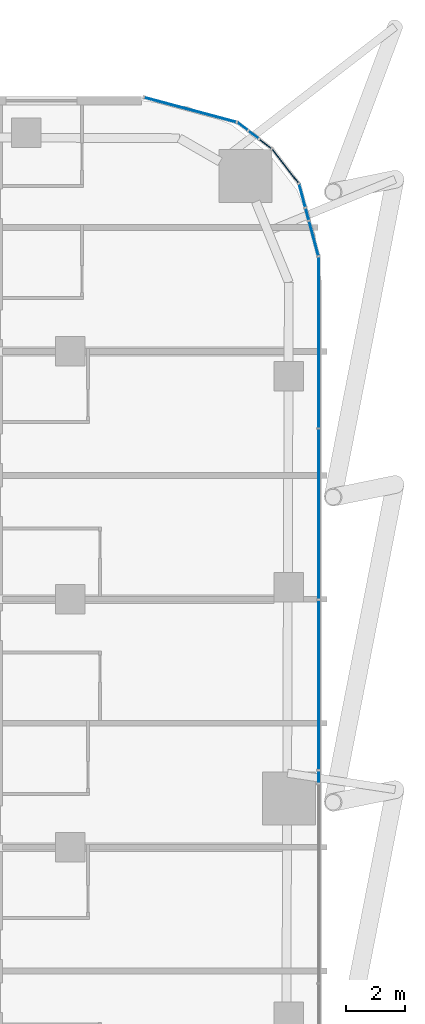
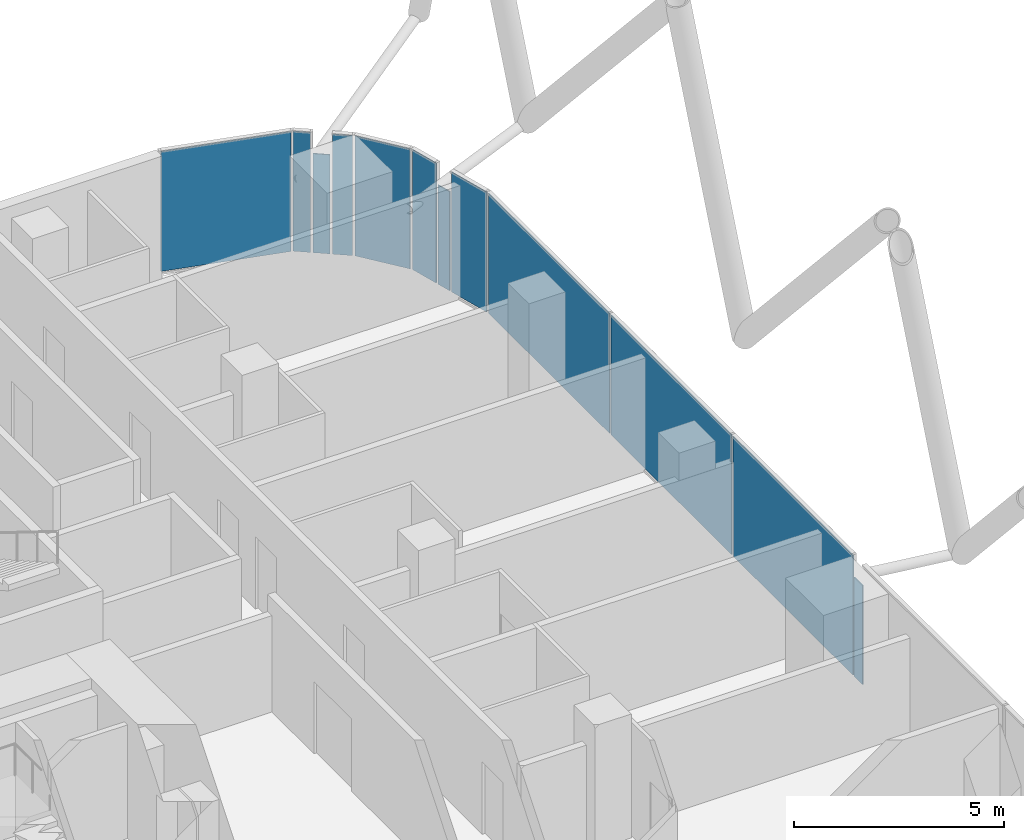
# One storey, part 26 of 36: 12 plates, 10 elements without a shape of their own.
"""IFC4 building model written with IfcOpenShell, lengths in metres."""

import ifcopenshell
import ifcopenshell.guid

model = None  # the IFC model being written
_history = None  # IfcOwnerHistory: only IFC2X3 demands one
_inside = {}  # id of a spatial element -> (the spatial element, [elements in it])
_under = {}  # id of a project, library or spatial element -> (it, [spatial elements below it])
_declared = {}  # id of a project -> (the project, [libraries it declares])
_typed = {}  # id of a type object -> (the type object, [elements of that type])
_made_of = {}  # id of a material, layer set ... -> (it, [elements and type objects made of it])


def new_model(schema):
    """Start an empty IFC model of exactly this schema.

    Asked for "IFC4X3", IfcOpenShell would pick the latest addendum, in which some entities
    have other attributes; the version numbers below select the first issue.
    IFC2X3 requires an IfcOwnerHistory on every rooted entity: one is made here for all.
    """
    global model, _history
    if schema == "IFC4X3":
        model = ifcopenshell.file(schema_version=(4, 3, 0, 0))
    else:
        model = ifcopenshell.file(schema=schema)
    _inside.clear()
    _under.clear()
    _declared.clear()
    _typed.clear()
    _made_of.clear()
    _history = None
    if model.schema == "IFC2X3":
        org = make("IfcOrganization", Name="unknown")
        user = make(
            "IfcPersonAndOrganization",
            ThePerson=make("IfcPerson", FamilyName="unknown"),
            TheOrganization=org,
        )
        app = make(
            "IfcApplication",
            ApplicationDeveloper=org,
            Version="unknown",
            ApplicationFullName="unknown",
            ApplicationIdentifier="unknown",
        )
        _history = make(
            "IfcOwnerHistory",
            OwningUser=user,
            OwningApplication=app,
            ChangeAction="ADDED",
            CreationDate=0,
        )
    return model


def make(cls, **values):
    """One entity of the class cls with the attributes given. An attribute that is None is left unset."""
    return model.create_entity(
        cls, **{name: value for name, value in values.items() if value is not None}
    )


def rooted(cls, **values):
    """An entity with a GlobalId (a new one), such as an element, a storey or a relation."""
    return make(cls, GlobalId=ifcopenshell.guid.new(), OwnerHistory=_history, **values)


def si_unit(unit_type, name, prefix=None):
    """IfcSIUnit, for example si_unit("LENGTHUNIT", "METRE", prefix="MILLI")."""
    return make("IfcSIUnit", UnitType=unit_type, Prefix=prefix, Name=name)


def assignment(units):
    """IfcUnitAssignment: the units of a project."""
    return None if units is None else make("IfcUnitAssignment", Units=units)


def point(xyz):
    """IfcCartesianPoint."""
    return None if xyz is None else make("IfcCartesianPoint", Coordinates=xyz)


def direction(xyz):
    """IfcDirection."""
    return None if xyz is None else make("IfcDirection", DirectionRatios=xyz)


def frame(location, z_axis=None, x_axis=None):
    """IfcAxis2Placement3D, a coordinate frame: its origin and axes. An axis left out is left unset."""
    return make(
        "IfcAxis2Placement3D",
        Location=point(location),
        Axis=direction(z_axis),
        RefDirection=direction(x_axis),
    )


def frame_2d(location, x_axis=None):
    """IfcAxis2Placement2D, a coordinate frame in the plane: its origin and x axis."""
    return make(
        "IfcAxis2Placement2D", Location=point(location), RefDirection=direction(x_axis)
    )


def origin():
    """The frame at (0, 0, 0) with its axes left unset."""
    return frame((0.0, 0.0, 0.0))


def origin_2d():
    """The frame at (0, 0) in the plane with its x axis left unset."""
    return frame_2d((0.0, 0.0))


def place(relative_to, where):
    """IfcLocalPlacement: puts the frame where relative to a parent placement (None: the world)."""
    return make(
        "IfcLocalPlacement", PlacementRelTo=relative_to, RelativePlacement=where
    )


def context(
    kind, dimensions, precision=None, world=None, true_north=None, identifier=None
):
    """IfcGeometricRepresentationContext, for example the 3D "Model" context."""
    return make(
        "IfcGeometricRepresentationContext",
        ContextIdentifier=identifier,
        ContextType=kind,
        CoordinateSpaceDimension=dimensions,
        Precision=precision,
        WorldCoordinateSystem=world,
        TrueNorth=true_north,
    )


def subcontext(parent, identifier, kind, view, scale=None):
    """IfcGeometricRepresentationSubContext, for example "Body" below "Model"."""
    return make(
        "IfcGeometricRepresentationSubContext",
        ContextIdentifier=identifier,
        ContextType=kind,
        ParentContext=parent,
        TargetScale=scale,
        TargetView=view,
    )


def project(units=None, contexts=None):
    """IfcProject with its units and contexts."""
    return rooted(
        "IfcProject",
        Name="project",
        RepresentationContexts=contexts,
        UnitsInContext=assignment(units),
    )


def spatial(cls, under=None, at=None, **own):
    """A site, building, storey or space (cls), placed at a placement, below another one or the project."""
    s = rooted(cls, ObjectPlacement=at, **own)
    if under is not None:
        _under.setdefault(under.id(), (under, []))[1].append(s)
    return s


def profile(cls, at=None, kind="AREA", **sizes):
    """A parametric profile (cls). Its sizes go by their IFC names, for example OverallWidth=200.0."""
    return make(cls, ProfileType=kind, Position=at, **sizes)


def rectangle(**sizes):
    """IfcRectangleProfileDef."""
    return profile("IfcRectangleProfileDef", **sizes)


def extrude(swept, where, along, depth):
    """IfcExtrudedAreaSolid: the profile swept, set in the frame where, extruded along a direction by depth."""
    return make(
        "IfcExtrudedAreaSolid",
        SweptArea=swept,
        Position=where,
        ExtrudedDirection=direction(along),
        Depth=depth,
    )


def shape(context_of_items, identifier, shape_type, items):
    """IfcShapeRepresentation: the items that make up one representation, for example the "Body"."""
    return make(
        "IfcShapeRepresentation",
        ContextOfItems=context_of_items,
        RepresentationIdentifier=identifier,
        RepresentationType=shape_type,
        Items=items,
    )


def material(Name=None, Category=None):
    """IfcMaterial."""
    return make("IfcMaterial", Name=Name, Category=Category)


def layer(
    of_material, thickness, ventilated=None, Name=None, Category=None, Priority=None
):
    """IfcMaterialLayer: one layer of a wall or slab, of a material (None: an air gap)."""
    return make(
        "IfcMaterialLayer",
        Material=of_material,
        LayerThickness=thickness,
        IsVentilated=ventilated,
        Name=Name,
        Category=Category,
        Priority=Priority,
    )


def layer_set(layers, Name=None):
    """IfcMaterialLayerSet."""
    return make("IfcMaterialLayerSet", MaterialLayers=layers, LayerSetName=Name)


def made_of(thing, what):
    """Note that an element or type object is made of a material, layer set ...; save() writes the relation."""
    if what is not None:
        _made_of.setdefault(what.id(), (what, []))[1].append(thing)
    return thing


def type_object(cls, material=None, **own):
    """A type object (cls), such as IfcWallType, which elements share."""
    return made_of(rooted(cls, **own), material)


def element(
    cls,
    number,
    at=None,
    inside=None,
    cuts=None,
    type_object=None,
    material=None,
    context=None,
    identifier="Body",
    shape_type=None,
    held_by="IfcProductDefinitionShape",
    body=None,
    shapes=None,
    **own,
):
    """One element of the class cls, such as IfcWall. Its Tag is "e" and its number.

    at: its placement. inside: the storey or other place that contains it. cuts: it is an
    opening in that element (IfcRelVoidsElement). A single representation is given by context,
    identifier, shape_type and body (its items); several are given by shapes. held_by: the class
    of the entity that holds the representations. save() writes the other relations.
    """
    e = rooted(cls, Tag="e%d" % number, ObjectPlacement=at, **own)
    if body is not None:
        shapes = [shape(context, identifier, shape_type, body)]
    if shapes is not None:
        e.Representation = make(held_by, Representations=shapes)
    if inside is not None:
        _inside.setdefault(inside.id(), (inside, []))[1].append(e)
    if cuts is not None:
        rooted(
            "IfcRelVoidsElement", RelatingBuildingElement=cuts, RelatedOpeningElement=e
        )
    if type_object is not None:
        _typed.setdefault(type_object.id(), (type_object, []))[1].append(e)
    return made_of(e, material)


def aggregate(whole, parts):
    """IfcRelAggregates: a whole, such as a stair, and the parts it consists of."""
    return rooted("IfcRelAggregates", RelatingObject=whole, RelatedObjects=parts)


def save(model, path):
    """Write the relations noted so far, then the file.

    IfcRelAggregates (storeys below a building ...), IfcRelContainedInSpatialStructure (elements
    in a storey), IfcRelDefinesByType, IfcRelAssociatesMaterial and IfcRelDeclares: one each for
    every whole, place, type object, material and project.
    """
    for whole, parts in _under.values():
        aggregate(whole, parts)
    for where, things in _inside.values():
        rooted(
            "IfcRelContainedInSpatialStructure",
            RelatedElements=things,
            RelatingStructure=where,
        )
    for kind, things in _typed.values():
        rooted("IfcRelDefinesByType", RelatedObjects=things, RelatingType=kind)
    for what, things in _made_of.values():
        rooted("IfcRelAssociatesMaterial", RelatedObjects=things, RelatingMaterial=what)
    for by, libraries in _declared.values():
        rooted("IfcRelDeclares", RelatingContext=by, RelatedDefinitions=libraries)
    model.write(path)


model = new_model("IFC4")

# Units and contexts
model_context = context("Model", 3, precision=1e-05, world=origin(), true_north=direction((0.0, 1.0)))
body_context = subcontext(model_context, "Body", "Model", "MODEL_VIEW")
ifc_project = project(units=[si_unit("LENGTHUNIT", "METRE"), si_unit("AREAUNIT", "SQUARE_METRE"), si_unit("VOLUMEUNIT", "CUBIC_METRE"), si_unit("PLANEANGLEUNIT", "RADIAN"), si_unit("MASSUNIT", "GRAM", prefix="KILO")], contexts=[model_context])

# Site, building, storey
site_placement = place(None, origin())
site = spatial("IfcSite", under=ifc_project, at=site_placement, CompositionType="ELEMENT")
building_placement = place(site_placement, origin())
building = spatial("IfcBuilding", under=site, at=building_placement, Name="Marenta Gate Hotel Tower", CompositionType="ELEMENT")
storey_placement = place(building_placement, frame((0.0, 0.0, 83.300048828125)))
storey = spatial("IfcBuildingStorey", under=building, at=storey_placement, Name="L19", CompositionType="ELEMENT", Elevation=83.300048828125)

# Curtain wall, plate
ifc_material_1 = material(Name="Tinted insulated glass in bronze anodised frame", Category="glass")
ifc_layer_1 = layer(ifc_material_1, 0.1201171875)
ifc_layer_set_1 = layer_set([ifc_layer_1], Name="Tinted insulated glass in bronze anodised frame")
curtain_wall_type = type_object("IfcCurtainWallType", Name="Tower unitised curtain wall CW1", PredefinedType="NOTDEFINED", material=ifc_layer_set_1)
curtain_wall_1_placement = place(storey_placement, origin())
curtain_wall_1 = element("IfcCurtainWall", 1, at=curtain_wall_1_placement, inside=storey, type_object=curtain_wall_type, Name="CW1 run G33", PredefinedType="NOTDEFINED")
ifc_material_2 = material(Name="Tinted insulated glass", Category="glass")
ifc_layer_2 = layer(ifc_material_2, 0.028076171875)
ifc_layer_set_2 = layer_set([ifc_layer_2], Name="Tinted insulated glass")
plate_type = type_object("IfcPlateType", Name="Glass panel CW1 28 mm tinted insulated unit", PredefinedType="CURTAIN_PANEL", material=ifc_layer_set_2)
plate_1_placement = place(storey_placement, frame((29.4140625, 10.776123046875, 0.06005859375), z_axis=(0.0, 0.0, 1.0), x_axis=(0.0, 1.0, 0.0)))
plate_1 = element("IfcPlate", 2, at=plate_1_placement, type_object=plate_type, Name="CW1 panel 1.1", PredefinedType="CURTAIN_PANEL", context=body_context, shape_type="SweptSolid", body=[
    extrude(rectangle(XDim=0.398193359375, YDim=0.028076171875, at=origin_2d()), origin(), (0.0, 0.0, 1.0), 2.880615234375),
])
aggregate(curtain_wall_1, [plate_1])

# Curtain wall, plates
curtain_wall_2_placement = place(storey_placement, origin())
curtain_wall_2 = element("IfcCurtainWall", 3, at=curtain_wall_2_placement, inside=storey, type_object=curtain_wall_type, Name="CW1 run G34", PredefinedType="NOTDEFINED")
plate_2_placement = place(storey_placement, frame((29.4140625, 13.89306640625, 0.06005859375), z_axis=(0.0, 0.0, 1.0), x_axis=(0.0, 1.0, 0.0)))
plate_2 = element("IfcPlate", 4, at=plate_2_placement, type_object=plate_type, Name="CW1 panel 1.1", PredefinedType="CURTAIN_PANEL", context=body_context, shape_type="SweptSolid", body=[
    extrude(rectangle(XDim=5.715576171875, YDim=0.028076171875, at=origin_2d()), origin(), (0.0, 0.0, 1.0), 3.47998046875),
])
plate_3_placement = place(storey_placement, frame((29.4140625, 19.68359375, 0.06005859375), z_axis=(0.0, 0.0, 1.0), x_axis=(0.0, 1.0, 0.0)))
plate_3 = element("IfcPlate", 5, at=plate_3_placement, type_object=plate_type, Name="CW1 panel 2.1", PredefinedType="CURTAIN_PANEL", context=body_context, shape_type="SweptSolid", body=[
    extrude(rectangle(XDim=5.74560546875, YDim=0.028076171875, at=origin_2d()), origin(), (0.0, 0.0, 1.0), 3.47998046875),
])
plate_4_placement = place(storey_placement, frame((29.4140625, 25.504150390625, 0.06005859375), z_axis=(0.0, 0.0, 1.0), x_axis=(0.0, 1.0, 0.0)))
plate_4 = element("IfcPlate", 6, at=plate_4_placement, type_object=plate_type, Name="CW1 panel 3.1", PredefinedType="CURTAIN_PANEL", context=body_context, shape_type="SweptSolid", body=[
    extrude(rectangle(XDim=5.775390625, YDim=0.028076171875, at=origin_2d()), origin(), (0.0, 0.0, 1.0), 3.47998046875),
])
aggregate(curtain_wall_2, [plate_2, plate_3, plate_4])

# Curtain wall, plate
curtain_wall_3_placement = place(storey_placement, origin())
curtain_wall_3 = element("IfcCurtainWall", 7, at=curtain_wall_3_placement, inside=storey, type_object=curtain_wall_type, Name="CW1 run G35", PredefinedType="NOTDEFINED")
plate_5_placement = place(storey_placement, frame((29.2451171875, 29.022705078125, 0.06005859375), z_axis=(0.0, 0.0, 1.0), x_axis=(-0.258816313572, 0.965926558196, 0.0)))
plate_5 = element("IfcPlate", 8, at=plate_5_placement, type_object=plate_type, Name="CW1 panel 1.1", PredefinedType="CURTAIN_PANEL", context=body_context, shape_type="SweptSolid", body=[
    extrude(rectangle(XDim=1.18603515625, YDim=0.028076171875, at=origin_2d()), origin(), (0.0, 0.0, 1.0), 3.47998046875),
])
aggregate(curtain_wall_3, [plate_5])

curtain_wall_4_placement = place(storey_placement, origin())
curtain_wall_4 = element("IfcCurtainWall", 9, at=curtain_wall_4_placement, inside=storey, type_object=curtain_wall_type, Name="CW1 run G36", PredefinedType="NOTDEFINED")
plate_6_placement = place(storey_placement, frame((29.024658203125, 29.844970703125, 0.06005859375), z_axis=(0.0, 0.0, 1.0), x_axis=(-0.258834595648, 0.965921659399, 0.0)))
plate_6 = element("IfcPlate", 10, at=plate_6_placement, type_object=plate_type, Name="CW1 panel 1.1", PredefinedType="CURTAIN_PANEL", context=body_context, shape_type="SweptSolid", body=[
    extrude(rectangle(XDim=0.396728515625, YDim=0.028076171875, at=origin_2d()), origin(), (0.0, 0.0, 1.0), 2.880615234375),
])
aggregate(curtain_wall_4, [plate_6])

curtain_wall_5_placement = place(storey_placement, origin())
curtain_wall_5 = element("IfcCurtainWall", 11, at=curtain_wall_5_placement, inside=storey, type_object=curtain_wall_type, Name="CW1 run G37", PredefinedType="NOTDEFINED")
plate_7_placement = place(storey_placement, frame((28.8544921875, 30.479736328125, 0.06005859375), z_axis=(0.0, 0.0, 1.0), x_axis=(-0.258823498514, 0.96592463299, 0.0)))
plate_7 = element("IfcPlate", 12, at=plate_7_placement, type_object=plate_type, Name="CW1 panel 1.1", PredefinedType="CURTAIN_PANEL", context=body_context, shape_type="SweptSolid", body=[
    extrude(rectangle(XDim=0.797607421875, YDim=0.028076171875, at=origin_2d()), origin(), (0.0, 0.0, 1.0), 3.47998046875),
])
aggregate(curtain_wall_5, [plate_7])

curtain_wall_6_placement = place(storey_placement, origin())
curtain_wall_6 = element("IfcCurtainWall", 13, at=curtain_wall_6_placement, inside=storey, type_object=curtain_wall_type, Name="CW1 run G38", PredefinedType="NOTDEFINED")
plate_8_placement = place(storey_placement, frame((28.280029296875, 31.47900390625, 0.06005859375), z_axis=(0.0, 0.0, 1.0), x_axis=(-0.608781405318, 0.79333801153, 0.0)))
plate_8 = element("IfcPlate", 14, at=plate_8_placement, type_object=plate_type, Name="CW1 panel 1.1", PredefinedType="CURTAIN_PANEL", context=body_context, shape_type="SweptSolid", body=[
    extrude(rectangle(XDim=1.427978515625, YDim=0.028076171875, at=origin_2d()), origin(), (0.0, 0.0, 1.0), 3.47998046875),
])
aggregate(curtain_wall_6, [plate_8])

curtain_wall_7_placement = place(storey_placement, origin())
curtain_wall_7 = element("IfcCurtainWall", 15, at=curtain_wall_7_placement, inside=storey, type_object=curtain_wall_type, Name="CW1 run G39", PredefinedType="NOTDEFINED")
plate_9_placement = place(storey_placement, frame((27.606201171875, 32.229248046875, 0.06005859375), z_axis=(0.0, 0.0, 1.0), x_axis=(-0.793327924254, 0.608794550401, 0.0)))
plate_9 = element("IfcPlate", 16, at=plate_9_placement, type_object=plate_type, Name="CW1 panel 1.1", PredefinedType="CURTAIN_PANEL", context=body_context, shape_type="SweptSolid", body=[
    extrude(rectangle(XDim=0.4833984375, YDim=0.028076171875, at=origin_2d()), origin(), (0.0, 0.0, 1.0), 3.47998046875),
])
aggregate(curtain_wall_7, [plate_9])

curtain_wall_8_placement = place(storey_placement, origin())
curtain_wall_8 = element("IfcCurtainWall", 17, at=curtain_wall_8_placement, inside=storey, type_object=curtain_wall_type, Name="CW1 run G40", PredefinedType="NOTDEFINED")
plate_10_placement = place(storey_placement, frame((27.20458984375, 32.537353515625, 0.06005859375), z_axis=(0.0, 0.0, 1.0), x_axis=(-0.793345275313, 0.608771939349, 0.0)))
plate_10 = element("IfcPlate", 18, at=plate_10_placement, type_object=plate_type, Name="CW1 panel 1.1", PredefinedType="CURTAIN_PANEL", context=body_context, shape_type="SweptSolid", body=[
    extrude(rectangle(XDim=0.40869140625, YDim=0.028076171875, at=origin_2d()), origin(), (0.0, 0.0, 1.0), 2.880615234375),
])
aggregate(curtain_wall_8, [plate_10])

curtain_wall_9_placement = place(storey_placement, origin())
curtain_wall_9 = element("IfcCurtainWall", 19, at=curtain_wall_9_placement, inside=storey, type_object=curtain_wall_type, Name="CW1 run G41", PredefinedType="NOTDEFINED")
plate_11_placement = place(storey_placement, frame((26.830078125, 32.82470703125, 0.06005859375), z_axis=(0.0, 0.0, 1.0), x_axis=(-0.793342380821, 0.608775711402, 0.0)))
plate_11 = element("IfcPlate", 20, at=plate_11_placement, type_object=plate_type, Name="CW1 panel 1.1", PredefinedType="CURTAIN_PANEL", context=body_context, shape_type="SweptSolid", body=[
    extrude(rectangle(XDim=0.415771484375, YDim=0.028076171875, at=origin_2d()), origin(), (0.0, 0.0, 1.0), 3.47998046875),
])
aggregate(curtain_wall_9, [plate_11])

curtain_wall_10_placement = place(storey_placement, origin())
curtain_wall_10 = element("IfcCurtainWall", 21, at=curtain_wall_10_placement, inside=storey, type_object=curtain_wall_type, Name="CW1 run G42", PredefinedType="NOTDEFINED")
plate_12_placement = place(storey_placement, frame((25.060791015625, 33.381103515625, 0.06005859375), z_axis=(0.0, 0.0, 1.0), x_axis=(-0.965928970532, 0.258807310344, 0.0)))
plate_12 = element("IfcPlate", 22, at=plate_12_placement, type_object=plate_type, Name="CW1 panel 1.1", PredefinedType="CURTAIN_PANEL", context=body_context, shape_type="SweptSolid", body=[
    extrude(rectangle(XDim=3.20166015625, YDim=0.028076171875, at=origin_2d()), origin(), (0.0, 0.0, 1.0), 3.47998046875),
])
aggregate(curtain_wall_10, [plate_12])

save(model, "model.ifc")
